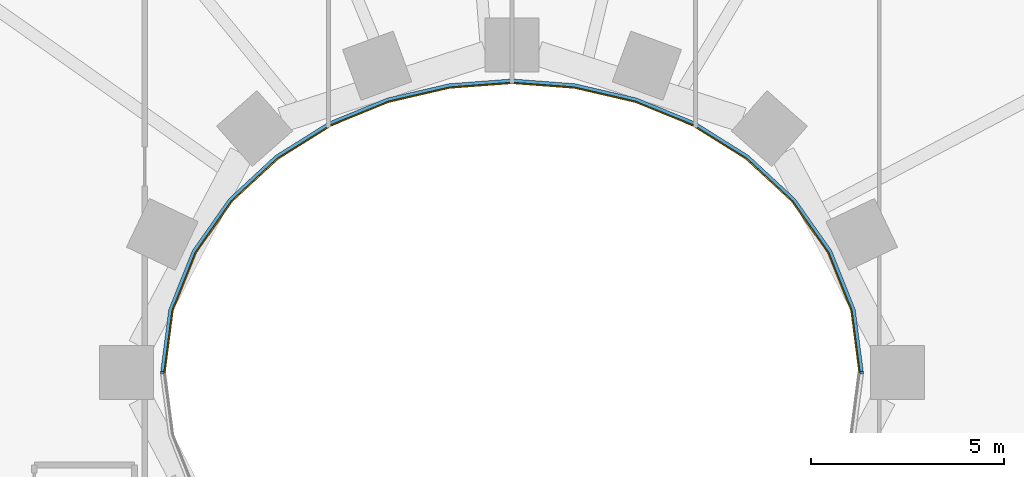
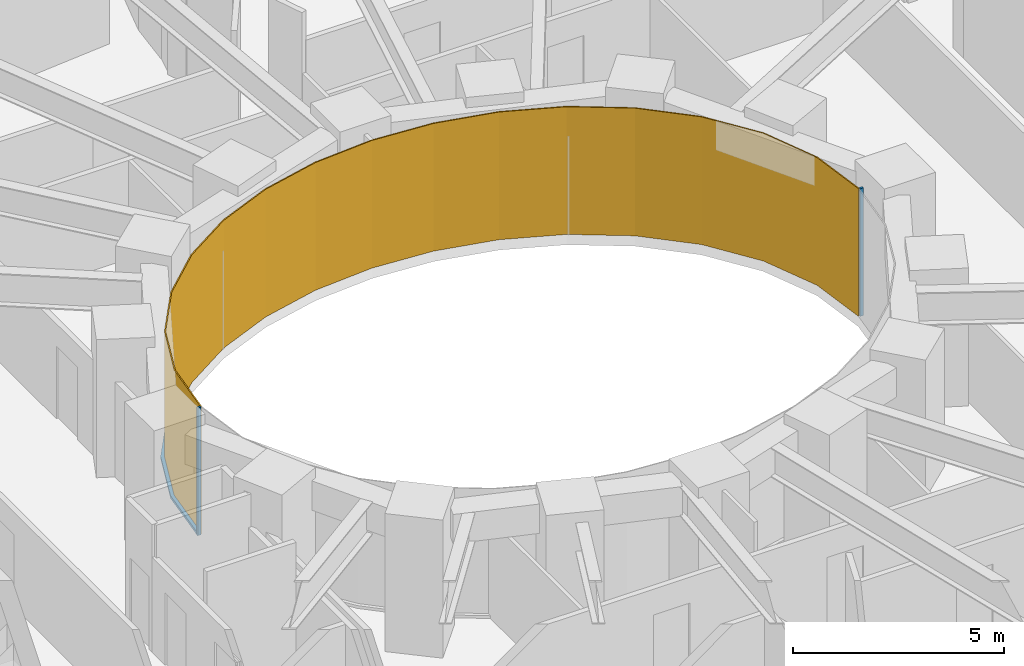
# One storey, part 12 of 16: 3 members, 1 curtain wall.
"""IFC4 building model written with IfcOpenShell, lengths in metres."""

from ifc_helpers import new_model, si_unit, direction, frame, origin, origin_2d, place, context, subcontext, project, spatial, polyline, rectangle, outline, extrude, material, layer, layer_set, material_profile, profile_set, type_object, element, aggregate, save


model = new_model("IFC4")

# Units and contexts
model_context = context("Model", 3, precision=1e-05, world=origin(), true_north=direction((0.0, 1.0)))
body_context = subcontext(model_context, "Body", "Model", "MODEL_VIEW")
ifc_project = project(units=[si_unit("LENGTHUNIT", "METRE"), si_unit("AREAUNIT", "SQUARE_METRE"), si_unit("VOLUMEUNIT", "CUBIC_METRE"), si_unit("PLANEANGLEUNIT", "RADIAN"), si_unit("MASSUNIT", "GRAM", prefix="KILO")], contexts=[model_context])

# Member
ifc_material_1 = material(Name="Steel S355 fire-resisting frame", Category="steel")
ifc_material_profile = material_profile(ifc_material_1, rectangle(XDim=0.090087890625, YDim=0.06005859375, at=origin_2d()), Name="90x60")
ifc_profile_set = profile_set([ifc_material_profile], Name="Steel S355 fire-resisting frame")
member_type_1 = type_object("IfcMemberType", Name="ENV-MULLION-W-90", PredefinedType="MULLION", material=ifc_profile_set)
site_placement = place(None, origin())
building_placement = place(site_placement, origin())
storey_placement = place(building_placement, frame((0.0, 0.0, 42.5)))
member_1_placement = place(storey_placement, frame((9.076904296875, 0.0, 0.0), z_axis=(0.0, 0.0, 1.0), x_axis=(1.0, 0.0, 0.0)))
member_1 = element("IfcMember", 1, at=member_1_placement, type_object=member_type_1, Name="Mullion W well vertex 01", PredefinedType="MULLION", context=body_context, shape_type="SweptSolid", body=[
    extrude(rectangle(XDim=0.090087890625, YDim=0.06005859375, at=origin_2d()), origin(), (0.0, 0.0, 1.0), 3.699951171875),
])

member_2_placement = place(storey_placement, frame((-9.076904296875, 0.0, 0.0), z_axis=(0.0, 0.0, 1.0), x_axis=(-1.0, 0.0, 0.0)))
member_2 = element("IfcMember", 2, at=member_2_placement, type_object=member_type_1, Name="Mullion W well vertex 17", PredefinedType="MULLION", context=body_context, shape_type="SweptSolid", body=[
    extrude(rectangle(XDim=0.090087890625, YDim=0.06005859375, at=origin_2d()), origin(), (0.0, 0.0, 1.0), 3.699951171875),
])

ifc_material_2 = material(Name="Steel S355 fire-resisting frame", Category="steel")
member_type_2 = type_object("IfcMemberType", Name="ENV-TRANSOM-W", PredefinedType="USERDEFINED", material=ifc_material_2)
member_3_placement = place(storey_placement, origin())
member_3 = element("IfcMember", 3, at=member_3_placement, type_object=member_type_2, Name="Transom W well 01-17", ObjectType="TRANSOM", PredefinedType="USERDEFINED", context=body_context, shape_type="SweptSolid", body=[
    extrude(outline(polyline([(9.119384765625, 0.02783203125), (8.910400390625, 1.63623046875), (8.29833984375, 3.167236328125), (7.35107421875, 4.5146484375), (6.1455078125, 5.6337890625), (4.75341796875, 6.50634765625), (3.233642578125, 7.127685546875), (1.635498046875, 7.498779296875), (0.0, 7.622314453125), (-1.635498046875, 7.498779296875), (-3.233642578125, 7.127685546875), (-4.75341796875, 6.50634765625), (-6.1455078125, 5.6337890625), (-7.35107421875, 4.5146484375), (-8.29833984375, 3.167236328125), (-8.910400390625, 1.63623046875), (-9.119384765625, 0.02783203125), (-9.02880859375, 0.02783203125), (-8.822509765625, 1.61328125), (-8.21875, 3.124267578125), (-7.282958984375, 4.455078125), (-6.090576171875, 5.56201171875), (-4.712158203125, 6.426025390625), (-3.206298828125, 7.04150390625), (-1.621826171875, 7.40966796875), (0.0, 7.531982421875), (1.621826171875, 7.40966796875), (3.206298828125, 7.04150390625), (4.712158203125, 6.426025390625), (6.090576171875, 5.56201171875), (7.282958984375, 4.455078125), (8.21875, 3.124267578125), (8.822509765625, 1.61328125), (9.02880859375, 0.02783203125), (9.119384765625, 0.02783203125)])), origin(), (0.0, 0.0, 1.0), 0.080078125),
])

# Site, building, storey
site = spatial("IfcSite", under=ifc_project, at=site_placement, CompositionType="ELEMENT")
building = spatial("IfcBuilding", under=site, at=building_placement, Name="Noorbagh Ring Tower", CompositionType="ELEMENT")
storey = spatial("IfcBuildingStorey", under=building, at=storey_placement, Name="L08", CompositionType="ELEMENT", Elevation=42.5)

# Curtain wall
ifc_material_3 = material(Name="Glass fire-resisting E60 laminated", Category="glass")
ifc_layer = layer(ifc_material_3, 0.031982421875)
ifc_layer_set = layer_set([ifc_layer], Name="Glass fire-resisting E60 laminated")
curtain_wall_type = type_object("IfcCurtainWallType", Name="ENV-CW-W", PredefinedType="NOTDEFINED", material=ifc_layer_set)
curtain_wall_placement = place(storey_placement, origin())
curtain_wall = element("IfcCurtainWall", 4, at=curtain_wall_placement, inside=storey, type_object=curtain_wall_type, Name="Curtain wall W W01", PredefinedType="NOTDEFINED", context=body_context, shape_type="SweptSolid", body=[
    extrude(outline(polyline([(9.0322265625, 0.0), (8.822509765625, 1.61328125), (8.21875, 3.124267578125), (7.282958984375, 4.455078125), (6.090576171875, 5.56201171875), (4.712158203125, 6.426025390625), (3.206298828125, 7.04150390625), (1.621826171875, 7.40966796875), (0.0, 7.531982421875), (-1.621826171875, 7.40966796875), (-3.206298828125, 7.04150390625), (-4.712158203125, 6.426025390625), (-6.090576171875, 5.56201171875), (-7.282958984375, 4.455078125), (-8.21875, 3.124267578125), (-8.822509765625, 1.61328125), (-9.0322265625, 0.0), (-9.0, 0.0), (-8.79150390625, 1.605224609375), (-8.1904296875, 3.10888671875), (-7.2587890625, 4.43408203125), (-6.071044921875, 5.53662109375), (-4.697509765625, 6.3974609375), (-3.196533203125, 7.010986328125), (-1.6171875, 7.3779296875), (0.0, 7.5), (1.6171875, 7.3779296875), (3.196533203125, 7.010986328125), (4.697509765625, 6.3974609375), (6.071044921875, 5.53662109375), (7.2587890625, 4.43408203125), (8.1904296875, 3.10888671875), (8.79150390625, 1.605224609375), (9.0, 0.0), (9.0322265625, 0.0)])), origin(), (0.0, 0.0, 1.0), 3.699951171875),
])

aggregate(curtain_wall, [member_1, member_2, member_3])

save(model, "model.ifc")
